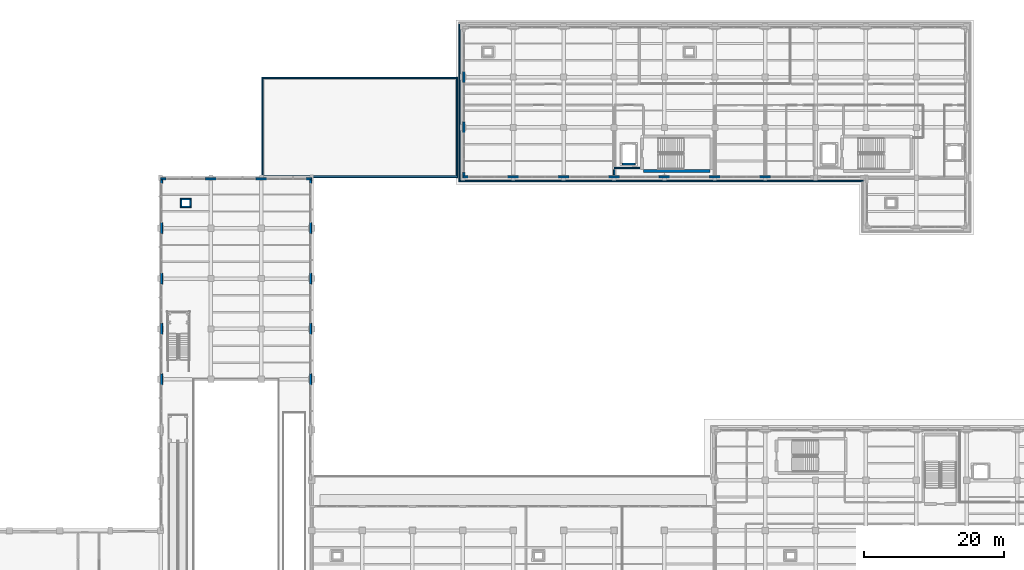
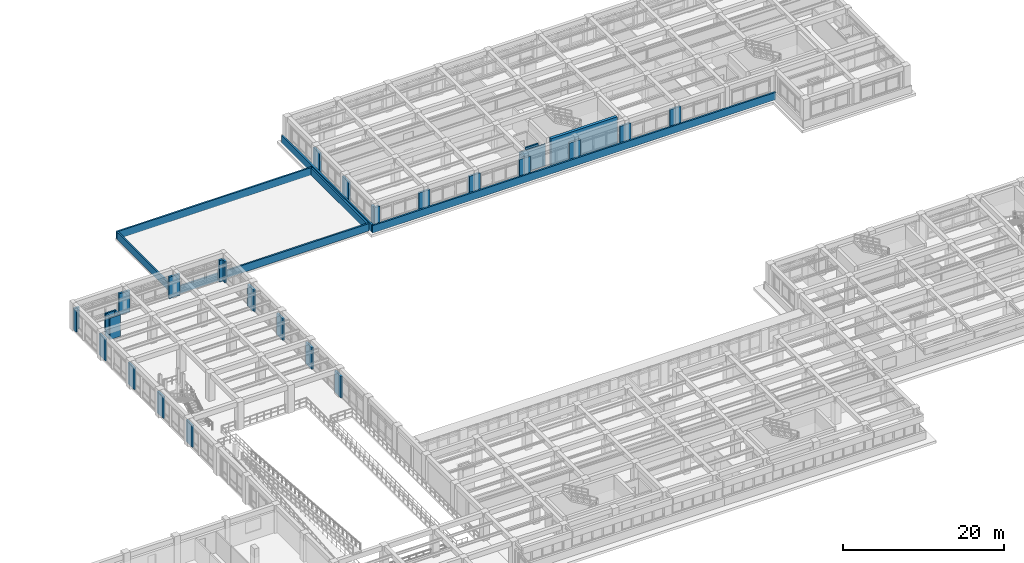
# One storey, part 52 of 69: 38 walls.
"""IFC4 building model written with IfcOpenShell, lengths in metres."""

from ifc_helpers import new_model, si_unit, direction, frame, frame_2d, origin, place, context, subcontext, project, spatial, rectangle, extrude, material, layer, layer_set, type_object, element, save


model = new_model("IFC4")

# Units and contexts
model_context = context("Model", 3, precision=1e-05, world=origin(), true_north=direction((0.0, 1.0)))
body_context = subcontext(model_context, "Body", "Model", "MODEL_VIEW")
ifc_project = project(units=[si_unit("LENGTHUNIT", "METRE"), si_unit("AREAUNIT", "SQUARE_METRE"), si_unit("VOLUMEUNIT", "CUBIC_METRE"), si_unit("PLANEANGLEUNIT", "RADIAN"), si_unit("MASSUNIT", "GRAM", prefix="KILO")], contexts=[model_context])

# Site, building, storey
site_placement = place(None, origin())
site = spatial("IfcSite", under=ifc_project, at=site_placement, CompositionType="ELEMENT")
building_placement = place(site_placement, origin())
building = spatial("IfcBuilding", under=site, at=building_placement, Name="Solenvale Faculty of Natural Sciences", CompositionType="ELEMENT")
storey_placement = place(building_placement, frame((0.0, 0.0, 4.5)))
storey = spatial("IfcBuildingStorey", under=building, at=storey_placement, Name="L01", CompositionType="ELEMENT", Elevation=4.5)

# Walls
ifc_material_1 = material(Name="Precast concrete 40 MPa", Category="concrete")
ifc_layer_1 = layer(ifc_material_1, 0.284912109375)
ifc_layer_set_1 = layer_set([ifc_layer_1], Name="Precast concrete 40 MPa")
wall_type_1 = type_object("IfcWallType", Name="WL-EXT-PRC-285", PredefinedType="STANDARD", material=ifc_layer_set_1)
wall_1_placement = place(storey_placement, frame((57.45751953125, 64.011962890625, 0.0), z_axis=(0.0, 0.0, 1.0), x_axis=(0.0, 1.0, 0.0)))
element("IfcWall", 1, at=wall_1_placement, inside=storey, type_object=wall_type_1, Name="L01 Facade Closure Pier 12.B3-R", PredefinedType="STANDARD", context=body_context, shape_type="SweptSolid", body=[
    extrude(rectangle(XDim=1.575927734375, YDim=0.284912109375, at=frame_2d((0.7880859375, 0.0))), origin(), (0.0, 0.0, 1.0), 3.260009765625),
])
wall_2_placement = place(storey_placement, frame((57.45751953125, 71.2119140625, 0.0), z_axis=(0.0, 0.0, 1.0), x_axis=(0.0, 1.0, 0.0)))
element("IfcWall", 2, at=wall_2_placement, inside=storey, type_object=wall_type_1, Name="L01 Facade Closure Pier 12.B4-R", PredefinedType="STANDARD", context=body_context, shape_type="SweptSolid", body=[
    extrude(rectangle(XDim=1.576171875, YDim=0.284912109375, at=frame_2d((0.7880859375, 0.0))), origin(), (0.0, 0.0, 1.0), 3.260009765625),
])
for number, where, z_axis, x_axis, name in (
    (3, (57.45751953125, 78.412109375, 0.0), (0.0, 0.0, 1.0), (0.0, 1.0, 0.0), "L01 Facade Closure Pier 12.B5-R"),
    (4, (57.45751953125, 85.612060546875, 0.0), (0.0, 0.0, 1.0), (0.0, 1.0, 0.0), "L01 Facade Closure Pier 12.B6-R"),
):
    element("IfcWall", number, at=place(storey_placement, frame(where, z_axis=z_axis, x_axis=x_axis)), inside=storey, type_object=wall_type_1, Name=name, PredefinedType="STANDARD", context=body_context, shape_type="SweptSolid", body=[
        extrude(rectangle(XDim=1.575927734375, YDim=0.284912109375, at=frame_2d((0.7880859375, 0.0))), origin(), (0.0, 0.0, 1.0), 3.260009765625),
    ])
wall_3_placement = place(storey_placement, frame((57.45751953125, 92.81201171875, 0.0), z_axis=(0.0, 0.0, 1.0), x_axis=(0.0, 1.0, 0.0)))
element("IfcWall", 5, at=wall_3_placement, inside=storey, type_object=wall_type_1, Name="L01 Facade Closure Pier 12.B7-R", PredefinedType="STANDARD", context=body_context, shape_type="SweptSolid", body=[
    extrude(rectangle(XDim=0.5029296875, YDim=0.284912109375, at=frame_2d((0.25146484375, 0.0))), origin(), (0.0, 0.0, 1.0), 3.260009765625),
])
wall_4_placement = place(storey_placement, frame((57.60009765625, 93.45751953125, 0.0), z_axis=(0.0, 0.0, 1.0), x_axis=(-1.0, 0.0, 0.0)))
element("IfcWall", 6, at=wall_4_placement, inside=storey, type_object=wall_type_1, Name="L01 Facade Closure Pier 13.B1-L", PredefinedType="STANDARD", context=body_context, shape_type="SweptSolid", body=[
    extrude(rectangle(XDim=0.7880859375, YDim=0.284912109375, at=frame_2d((0.39404296875, 0.0))), origin(), (0.0, 0.0, 1.0), 3.260009765625),
])
for number, where, z_axis, x_axis, name in (
    (7, (51.18798828125, 93.45751953125, 0.0), (0.0, 0.0, 1.0), (-1.0, 0.0, 0.0), "L01 Facade Closure Pier 13.B1-R"),
    (8, (43.988037109375, 93.45751953125, 0.0), (0.0, 0.0, 1.0), (-1.0, 0.0, 0.0), "L01 Facade Closure Pier 13.B2-R"),
):
    element("IfcWall", number, at=place(storey_placement, frame(where, z_axis=z_axis, x_axis=x_axis)), inside=storey, type_object=wall_type_1, Name=name, PredefinedType="STANDARD", context=body_context, shape_type="SweptSolid", body=[
        extrude(rectangle(XDim=1.575927734375, YDim=0.284912109375, at=frame_2d((0.7880859375, 0.0))), origin(), (0.0, 0.0, 1.0), 3.260009765625),
    ])
wall_5_placement = place(storey_placement, frame((36.7880859375, 93.45751953125, 0.0), z_axis=(0.0, 0.0, 1.0), x_axis=(-1.0, 0.0, 0.0)))
element("IfcWall", 9, at=wall_5_placement, inside=storey, type_object=wall_type_1, Name="L01 Facade Closure Pier 13.B3-R", PredefinedType="STANDARD", context=body_context, shape_type="SweptSolid", body=[
    extrude(rectangle(XDim=0.7880859375, YDim=0.284912109375, at=frame_2d((0.39404296875, 0.0))), origin(), (0.0, 0.0, 1.0), 3.260009765625),
])
wall_6_placement = place(storey_placement, frame((36.142578125, 93.31494140625, 0.0), z_axis=(0.0, 0.0, 1.0), x_axis=(0.0, -1.0, 0.0)))
element("IfcWall", 10, at=wall_6_placement, inside=storey, type_object=wall_type_1, Name="L01 Facade Closure Pier 14.B1-L", PredefinedType="STANDARD", context=body_context, shape_type="SweptSolid", body=[
    extrude(rectangle(XDim=0.5029296875, YDim=0.284912109375, at=frame_2d((0.25146484375, 0.0))), origin(), (0.0, 0.0, 1.0), 3.260009765625),
])
for number, where, z_axis, x_axis, name in (
    (11, (36.142578125, 87.18798828125, 0.0), (0.0, 0.0, 1.0), (0.0, -1.0, 0.0), "L01 Facade Closure Pier 14.B1-R"),
    (12, (36.142578125, 79.988037109375, 0.0), (0.0, 0.0, 1.0), (0.0, -1.0, 0.0), "L01 Facade Closure Pier 14.B2-R"),
):
    element("IfcWall", number, at=place(storey_placement, frame(where, z_axis=z_axis, x_axis=x_axis)), inside=storey, type_object=wall_type_1, Name=name, PredefinedType="STANDARD", context=body_context, shape_type="SweptSolid", body=[
        extrude(rectangle(XDim=1.575927734375, YDim=0.284912109375, at=frame_2d((0.7880859375, 0.0))), origin(), (0.0, 0.0, 1.0), 3.260009765625),
    ])
wall_7_placement = place(storey_placement, frame((36.142578125, 72.7880859375, 0.0), z_axis=(0.0, 0.0, 1.0), x_axis=(0.0, -1.0, 0.0)))
element("IfcWall", 13, at=wall_7_placement, inside=storey, type_object=wall_type_1, Name="L01 Facade Closure Pier 14.B3-R", PredefinedType="STANDARD", context=body_context, shape_type="SweptSolid", body=[
    extrude(rectangle(XDim=1.576171875, YDim=0.284912109375, at=frame_2d((0.7880859375, 0.0))), origin(), (0.0, 0.0, 1.0), 3.260009765625),
])
wall_8_placement = place(storey_placement, frame((36.142578125, 65.587890625, 0.0), z_axis=(0.0, 0.0, 1.0), x_axis=(0.0, -1.0, 0.0)))
element("IfcWall", 14, at=wall_8_placement, inside=storey, type_object=wall_type_1, Name="L01 Facade Closure Pier 14.B4-R", PredefinedType="STANDARD", context=body_context, shape_type="SweptSolid", body=[
    extrude(rectangle(XDim=1.575927734375, YDim=0.284912109375, at=frame_2d((0.7880859375, 0.0))), origin(), (0.0, 0.0, 1.0), 3.260009765625),
])
wall_9_placement = place(storey_placement, frame((79.342529296875, 108.7880859375, 0.0), z_axis=(0.0, 0.0, 1.0), x_axis=(0.0, -1.0, 0.0)))
element("IfcWall", 15, at=wall_9_placement, inside=storey, type_object=wall_type_1, Name="L01 Facade Closure Pier 5.B1-R", PredefinedType="STANDARD", context=body_context, shape_type="SweptSolid", body=[
    extrude(rectangle(XDim=1.576171875, YDim=0.284912109375, at=frame_2d((0.7880859375, 0.0))), origin(), (0.0, 0.0, 1.0), 3.260009765625),
])
wall_10_placement = place(storey_placement, frame((79.342529296875, 101.587890625, 0.0), z_axis=(0.0, 0.0, 1.0), x_axis=(0.0, -1.0, 0.0)))
element("IfcWall", 16, at=wall_10_placement, inside=storey, type_object=wall_type_1, Name="L01 Facade Closure Pier 5.B2-R", PredefinedType="STANDARD", context=body_context, shape_type="SweptSolid", body=[
    extrude(rectangle(XDim=1.575927734375, YDim=0.284912109375, at=frame_2d((0.7880859375, 0.0))), origin(), (0.0, 0.0, 1.0), 3.260009765625),
])
wall_11_placement = place(storey_placement, frame((79.342529296875, 94.387939453125, 0.0), z_axis=(0.0, 0.0, 1.0), x_axis=(0.0, -1.0, 0.0)))
element("IfcWall", 17, at=wall_11_placement, inside=storey, type_object=wall_type_1, Name="L01 Facade Closure Pier 5.B3-R", PredefinedType="STANDARD", context=body_context, shape_type="SweptSolid", body=[
    extrude(rectangle(XDim=0.5029296875, YDim=0.284912109375, at=frame_2d((0.25146484375, 0.0))), origin(), (0.0, 0.0, 1.0), 3.260009765625),
])
wall_12_placement = place(storey_placement, frame((79.199951171875, 93.742431640625, 0.0), z_axis=(0.0, 0.0, 1.0), x_axis=(1.0, 0.0, 0.0)))
element("IfcWall", 18, at=wall_12_placement, inside=storey, type_object=wall_type_1, Name="L01 Facade Closure Pier 6.B1-L", PredefinedType="STANDARD", context=body_context, shape_type="SweptSolid", body=[
    extrude(rectangle(XDim=0.7880859375, YDim=0.284912109375, at=frame_2d((0.39404296875, 0.0))), origin(), (0.0, 0.0, 1.0), 3.260009765625),
])
for number, where, z_axis, x_axis, name in (
    (19, (85.612060546875, 93.742431640625, 0.0), (0.0, 0.0, 1.0), (1.0, 0.0, 0.0), "L01 Facade Closure Pier 6.B1-R"),
    (20, (92.81201171875, 93.742431640625, 0.0), (0.0, 0.0, 1.0), (1.0, 0.0, 0.0), "L01 Facade Closure Pier 6.B2-R"),
    (21, (100.011962890625, 93.742431640625, 0.0), (0.0, 0.0, 1.0), (1.0, 0.0, 0.0), "L01 Facade Closure Pier 6.B3-R"),
):
    element("IfcWall", number, at=place(storey_placement, frame(where, z_axis=z_axis, x_axis=x_axis)), inside=storey, type_object=wall_type_1, Name=name, PredefinedType="STANDARD", context=body_context, shape_type="SweptSolid", body=[
        extrude(rectangle(XDim=1.575927734375, YDim=0.284912109375, at=frame_2d((0.7880859375, 0.0))), origin(), (0.0, 0.0, 1.0), 3.260009765625),
    ])
wall_13_placement = place(storey_placement, frame((107.2119140625, 93.742431640625, 0.0), z_axis=(0.0, 0.0, 1.0), x_axis=(1.0, 0.0, 0.0)))
element("IfcWall", 22, at=wall_13_placement, inside=storey, type_object=wall_type_1, Name="L01 Facade Closure Pier 6.B4-R", PredefinedType="STANDARD", context=body_context, shape_type="SweptSolid", body=[
    extrude(rectangle(XDim=1.576171875, YDim=0.284912109375, at=frame_2d((0.7880859375, 0.0))), origin(), (0.0, 0.0, 1.0), 3.260009765625),
])
for number, where, z_axis, x_axis, name in (
    (23, (114.412109375, 93.742431640625, 0.0), (0.0, 0.0, 1.0), (1.0, 0.0, 0.0), "L01 Facade Closure Pier 6.B5-R"),
    (24, (121.612060546875, 93.742431640625, 0.0), (0.0, 0.0, 1.0), (1.0, 0.0, 0.0), "L01 Facade Closure Pier 6.B6-R"),
):
    element("IfcWall", number, at=place(storey_placement, frame(where, z_axis=z_axis, x_axis=x_axis)), inside=storey, type_object=wall_type_1, Name=name, PredefinedType="STANDARD", context=body_context, shape_type="SweptSolid", body=[
        extrude(rectangle(XDim=1.575927734375, YDim=0.284912109375, at=frame_2d((0.7880859375, 0.0))), origin(), (0.0, 0.0, 1.0), 3.260009765625),
    ])
ifc_material_2 = material(Name="Gypsum fire-rated shaftwall")
ifc_layer_2 = layer(ifc_material_2, 0.205078125)
ifc_layer_set_2 = layer_set([ifc_layer_2], Name="Gypsum fire-rated shaftwall")
wall_type_2 = type_object("IfcWallType", Name="WL-FFL-205", PredefinedType="PARTITIONING", material=ifc_layer_set_2)
wall_14_placement = place(storey_placement, frame((104.47509765625, 95.0, 0.0), z_axis=(0.0, 0.0, 1.0), x_axis=(-1.0, 0.0, 0.0)))
element("IfcWall", 25, at=wall_14_placement, inside=storey, type_object=wall_type_2, Name="L01 Firefighting Lobby C4 Partition 20", PredefinedType="PARTITIONING", context=body_context, shape_type="SweptSolid", body=[
    extrude(rectangle(XDim=3.675048828125, YDim=0.205078125, at=frame_2d((1.83740234375, 0.0))), origin(), (0.0, 0.0, 1.0), 3.260009765625),
])
ifc_material_3 = material(Name="Gypsum fire-rated laboratory partition")
ifc_layer_3 = layer(ifc_material_3, 0.2119140625)
ifc_layer_set_3 = layer_set([ifc_layer_3], Name="Gypsum fire-rated laboratory partition")
wall_type_3 = type_object("IfcWallType", Name="WL-LAB-212", PredefinedType="PARTITIONING", material=ifc_layer_set_3)
wall_15_placement = place(storey_placement, frame((100.800048828125, 94.779052734375, 0.0), z_axis=(0.0, 0.0, 1.0), x_axis=(0.0, -1.0, 0.0)))
element("IfcWall", 26, at=wall_15_placement, inside=storey, type_object=wall_type_3, Name="L01 Earth Sciences Teaching Laboratory Partition 20", PredefinedType="PARTITIONING", context=body_context, shape_type="SweptSolid", body=[
    extrude(rectangle(XDim=0.776123046875, YDim=0.2119140625, at=frame_2d((0.38818359375, 0.0))), origin(), (0.0, 0.0, 1.0), 3.260009765625),
])
ifc_material_4 = material(Name="Architectural bronze concrete 40 MPa", Category="concrete")
ifc_layer_4 = layer(ifc_material_4, 0.239990234375)
ifc_layer_set_4 = layer_set([ifc_layer_4], Name="Architectural bronze concrete 40 MPa")
wall_type_4 = type_object("IfcWallType", Name="WL-PAR-BRZ-240", PredefinedType="PARAPET", material=ifc_layer_set_4)
wall_16_placement = place(storey_placement, frame((78.719970703125, 93.239990234375, 0.0), z_axis=(0.0, 0.0, 1.0), x_axis=(0.0, 1.0, 0.0)))
element("IfcWall", 27, at=wall_16_placement, inside=storey, type_object=wall_type_4, Name="L01 Tower Horizontal Concrete Band 8", PredefinedType="PARAPET", context=body_context, shape_type="SweptSolid", body=[
    extrude(rectangle(XDim=22.320068359375, YDim=0.239990234375, at=frame_2d((11.16015625, 0.0))), origin(), (0.0, 0.0, 1.0), 1.1201171875),
])
wall_17_placement = place(storey_placement, frame((136.43994140625, 93.1201171875, 0.0), z_axis=(0.0, 0.0, 1.0), x_axis=(-1.0, 0.0, 0.0)))
element("IfcWall", 28, at=wall_17_placement, inside=storey, type_object=wall_type_4, Name="L01 Tower Horizontal Concrete Band 14", PredefinedType="PARAPET", context=body_context, shape_type="SweptSolid", body=[
    extrude(rectangle(XDim=57.83984375, YDim=0.239990234375, at=frame_2d((28.919921875, 0.0))), origin(), (0.0, 0.0, 1.0), 1.1201171875),
])
wall_18_placement = place(storey_placement, frame((78.360107421875, 107.719970703125, 0.0), z_axis=(0.0, 0.0, 1.0), x_axis=(0.0, -1.0, 0.0)))
element("IfcWall", 29, at=wall_18_placement, inside=storey, type_object=wall_type_4, Name="L01 Roof Parapet 3.1", PredefinedType="PARAPET", context=body_context, shape_type="SweptSolid", body=[
    extrude(rectangle(XDim=13.840087890625, YDim=0.239990234375, at=frame_2d((6.919921875, 0.0))), origin(), (0.0, 0.0, 1.0), 1.1201171875),
])
wall_19_placement = place(storey_placement, frame((78.47998046875, 93.760009765625, 0.0), z_axis=(0.0, 0.0, 1.0), x_axis=(-1.0, 0.0, 0.0)))
element("IfcWall", 30, at=wall_19_placement, inside=storey, type_object=wall_type_4, Name="L01 Roof Parapet 3.2", PredefinedType="PARAPET", context=body_context, shape_type="SweptSolid", body=[
    extrude(rectangle(XDim=28.0400390625, YDim=0.239990234375, at=frame_2d((14.02001953125, 0.0))), origin(), (0.0, 0.0, 1.0), 1.1201171875),
])
wall_20_placement = place(storey_placement, frame((50.56005859375, 93.8798828125, 0.0), z_axis=(0.0, 0.0, 1.0), x_axis=(0.0, 1.0, 0.0)))
element("IfcWall", 31, at=wall_20_placement, inside=storey, type_object=wall_type_4, Name="L01 Roof Parapet 3.3", PredefinedType="PARAPET", context=body_context, shape_type="SweptSolid", body=[
    extrude(rectangle(XDim=13.840087890625, YDim=0.239990234375, at=frame_2d((6.919921875, 0.0))), origin(), (0.0, 0.0, 1.0), 1.1201171875),
])
wall_21_placement = place(storey_placement, frame((50.43994140625, 107.840087890625, 0.0), z_axis=(0.0, 0.0, 1.0), x_axis=(1.0, 0.0, 0.0)))
element("IfcWall", 32, at=wall_21_placement, inside=storey, type_object=wall_type_4, Name="L01 Roof Parapet 3.4", PredefinedType="PARAPET", context=body_context, shape_type="SweptSolid", body=[
    extrude(rectangle(XDim=28.0400390625, YDim=0.239990234375, at=frame_2d((14.02001953125, 0.0))), origin(), (0.0, 0.0, 1.0), 1.1201171875),
])
ifc_material_5 = material(Name="Concrete 40 MPa", Category="concrete")
ifc_layer_5 = layer(ifc_material_5, 0.219970703125)
ifc_layer_set_5 = layer_set([ifc_layer_5], Name="Concrete 40 MPa")
wall_type_5 = type_object("IfcWallType", Name="WL-SHF-220", PredefinedType="STANDARD", material=ifc_layer_set_5)
wall_22_placement = place(storey_placement, frame((101.97998046875, 95.570068359375, 0.0), z_axis=(0.0, 0.0, 1.0), x_axis=(1.0, 0.0, 0.0)))
element("IfcWall", 33, at=wall_22_placement, inside=storey, type_object=wall_type_5, Name="Elevator LF-01 L01 Shaft Wall S", PredefinedType="STANDARD", context=body_context, shape_type="SweptSolid", body=[
    extrude(rectangle(XDim=1.840087890625, YDim=0.219970703125, at=frame_2d((0.919921875, 0.0))), origin(), (0.0, 0.0, 1.0), 3.260009765625),
])
for number, where, z_axis, x_axis, name in (
    (34, (38.830078125, 89.43994140625, 0.0), (0.0, 0.0, 1.0), (1.0, 0.0, 0.0), "L01 Service Riser Shaft 2 Wall S"),
    (35, (38.830078125, 90.56005859375, 0.0), (0.0, 0.0, 1.0), (1.0, 0.0, 0.0), "L01 Service Riser Shaft 2 Wall N"),
):
    element("IfcWall", number, at=place(storey_placement, frame(where, z_axis=z_axis, x_axis=x_axis)), inside=storey, type_object=wall_type_5, Name=name, PredefinedType="STANDARD", context=body_context, shape_type="SweptSolid", body=[
        extrude(rectangle(XDim=1.5400390625, YDim=0.219970703125, at=frame_2d((0.77001953125, 0.0))), origin(), (0.0, 0.0, 1.0), 3.260009765625),
    ])
for number, where, z_axis, x_axis, name in (
    (36, (38.93994140625, 89.550048828125, 0.0), (0.0, 0.0, 1.0), (0.0, 1.0, 0.0), "L01 Service Riser Shaft 2 Wall W"),
    (37, (40.260009765625, 89.550048828125, 0.0), (0.0, 0.0, 1.0), (0.0, 1.0, 0.0), "L01 Service Riser Shaft 2 Wall E"),
):
    element("IfcWall", number, at=place(storey_placement, frame(where, z_axis=z_axis, x_axis=x_axis)), inside=storey, type_object=wall_type_5, Name=name, PredefinedType="STANDARD", context=body_context, shape_type="SweptSolid", body=[
        extrude(rectangle(XDim=0.89990234375, YDim=0.219970703125, at=frame_2d((0.449951171875, 0.0))), origin(), (0.0, 0.0, 1.0), 3.260009765625),
    ])
ifc_material_6 = material(Name="Concrete 50 MPa", Category="concrete")
ifc_layer_6 = layer(ifc_material_6, 0.409912109375)
ifc_layer_set_6 = layer_set([ifc_layer_6], Name="Concrete 50 MPa")
wall_type_6 = type_object("IfcWallType", Name="WL-SHR-410", PredefinedType="SHEAR", material=ifc_layer_set_6)
wall_23_placement = place(storey_placement, frame((105.0, 94.594970703125, 0.0), z_axis=(0.0, 0.0, 1.0), x_axis=(1.0, 0.0, 0.0)))
element("IfcWall", 38, at=wall_23_placement, inside=storey, type_object=wall_type_6, Name="Core C4 L01 Shear Wall S", PredefinedType="SHEAR", context=body_context, shape_type="SweptSolid", body=[
    extrude(rectangle(XDim=9.5, YDim=0.409912109375, at=frame_2d((4.75, 0.0))), origin(), (0.0, 0.0, 1.0), 4.219970703125),
])

save(model, "model.ifc")
